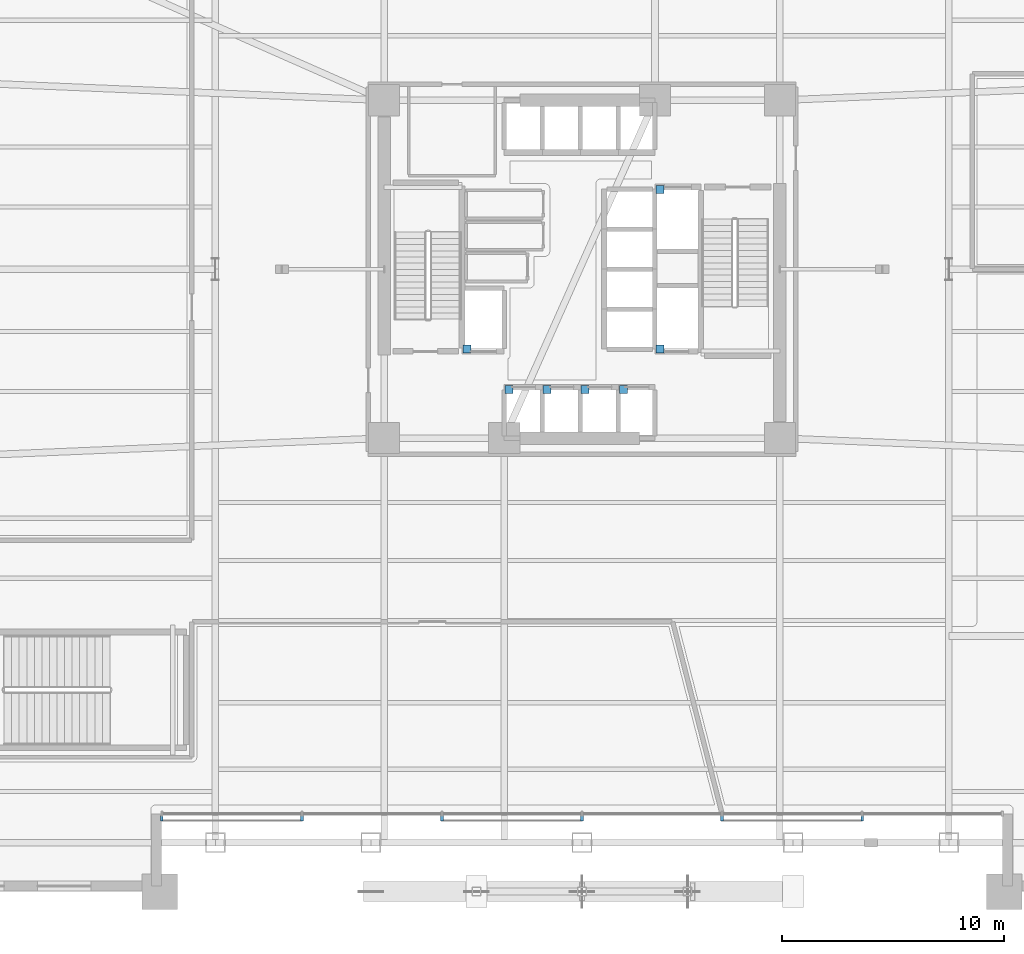
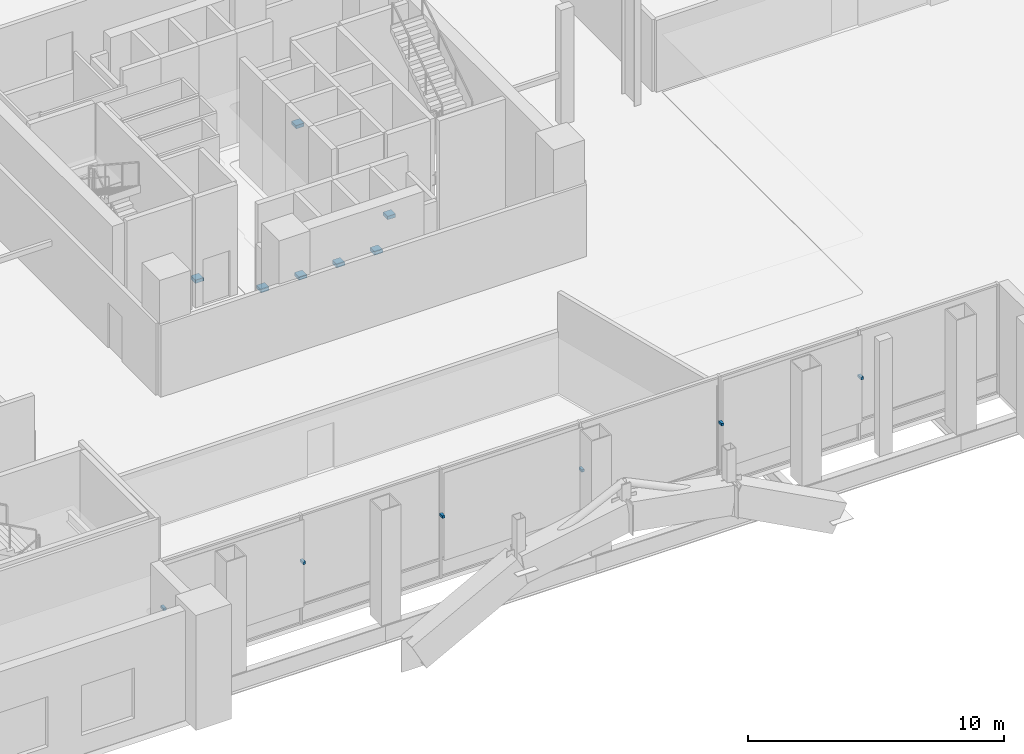
# One storey, part 12 of 19: 13 discrete accessories.
"""IFC4 building model written with IfcOpenShell, lengths in metres."""

from ifc_helpers import new_model, si_unit, direction, frame, origin, origin_2d, place, context, subcontext, project, spatial, rectangle, extrude, material, type_object, element, save


model = new_model("IFC4")

# Units and contexts
model_context = context("Model", 3, precision=1e-05, world=origin(), true_north=direction((0.0, 1.0)))
body_context = subcontext(model_context, "Body", "Model", "MODEL_VIEW")
ifc_project = project(units=[si_unit("LENGTHUNIT", "METRE"), si_unit("AREAUNIT", "SQUARE_METRE"), si_unit("VOLUMEUNIT", "CUBIC_METRE"), si_unit("PLANEANGLEUNIT", "RADIAN"), si_unit("MASSUNIT", "GRAM", prefix="KILO")], contexts=[model_context])

# Site, building, storey
site_placement = place(None, origin())
site = spatial("IfcSite", under=ifc_project, at=site_placement, CompositionType="ELEMENT")
building_placement = place(site_placement, origin())
building = spatial("IfcBuilding", under=site, at=building_placement, Name="Tharavind Bronze Gate", CompositionType="ELEMENT")
storey_placement = place(building_placement, frame((0.0, 0.0, 11.0)))
storey = spatial("IfcBuildingStorey", under=building, at=storey_placement, Name="L02", CompositionType="ELEMENT", Elevation=11.0)

# Discrete accessories
ifc_material_1 = material(Name="Galvanised Steel S355", Category="steel")
discrete_accessory_type_1 = type_object("IfcDiscreteAccessoryType", Name="LIFT GUIDE RAIL BRACKET", PredefinedType="BRACKET", material=ifc_material_1)
for number, where, z_axis, x_axis, name in (
    (1, (-3.280029296875, -5.419921875, 1.1201171875), (0.0, 0.0, 1.0), (1.0, 0.0, 0.0), "Lift PL1 guide rail bracket at L02"),
    (2, (-1.5673828125, -5.419921875, 1.1201171875), (0.0, 0.0, 1.0), (1.0, 0.0, 0.0), "Lift PL2 guide rail bracket at L02"),
    (3, (0.14501953125, -5.419921875, 1.1201171875), (0.0, 0.0, 1.0), (1.0, 0.0, 0.0), "Lift PL3 guide rail bracket at L02"),
    (4, (1.857421875, -5.419921875, 1.1201171875), (0.0, 0.0, 1.0), (1.0, 0.0, 0.0), "Lift PL4 guide rail bracket at L02"),
    (5, (-5.179931640625, -3.580078125, 1.1201171875), (0.0, 0.0, 1.0), (1.0, 0.0, 0.0), "Lift FFL1 guide rail bracket at L02"),
    (6, (3.5, 3.580078125, 1.1201171875), (0.0, 0.0, 1.0), (1.0, 0.0, 0.0), "Lift FFL2 guide rail bracket at L02"),
    (7, (3.5, -3.580078125, 1.1201171875), (0.0, 0.0, 1.0), (1.0, 0.0, 0.0), "Lift SVL1 guide rail bracket at L02"),
):
    element("IfcDiscreteAccessory", number, at=place(storey_placement, frame(where, z_axis=z_axis, x_axis=x_axis)), inside=storey, type_object=discrete_accessory_type_1, Name=name, PredefinedType="BRACKET", context=body_context, shape_type="SweptSolid", body=[
        extrude(rectangle(XDim=0.360107421875, YDim=0.360107421875, at=origin_2d()), origin(), (0.0, 0.0, 1.0), 0.159912109375),
    ])
ifc_material_2 = material(Name="Stainless Steel 316", Category="steel")
discrete_accessory_type_2 = type_object("IfcDiscreteAccessoryType", Name="SOLAR SCREEN STANDOFF BRACKET", PredefinedType="BRACKET", material=ifc_material_2)
for number, where, z_axis, x_axis, name in (
    (8, (-18.89990234375, -24.699951171875, 3.010009765625), (0.0, 0.0, 1.0), (1.0, 0.0, 0.0), "CW-L02-ARCH solar screen bracket 1.1"),
    (9, (-12.60009765625, -24.699951171875, 3.010009765625), (0.0, 0.0, 1.0), (1.0, 0.0, 0.0), "CW-L02-ARCH solar screen bracket 1.2"),
    (10, (-6.300048828125, -24.699951171875, 3.010009765625), (0.0, 0.0, 1.0), (1.0, 0.0, 0.0), "CW-L02-ARCH solar screen bracket 3.1"),
    (11, (0.0, -24.699951171875, 3.010009765625), (0.0, 0.0, 1.0), (1.0, 0.0, 0.0), "CW-L02-ARCH solar screen bracket 3.2"),
    (12, (6.300048828125, -24.699951171875, 3.010009765625), (0.0, 0.0, 1.0), (1.0, 0.0, 0.0), "CW-L02-ARCH solar screen bracket 5.1"),
    (13, (12.60009765625, -24.699951171875, 3.010009765625), (0.0, 0.0, 1.0), (1.0, 0.0, 0.0), "CW-L02-ARCH solar screen bracket 5.2"),
):
    element("IfcDiscreteAccessory", number, at=place(storey_placement, frame(where, z_axis=z_axis, x_axis=x_axis)), inside=storey, type_object=discrete_accessory_type_2, Name=name, PredefinedType="BRACKET", context=body_context, shape_type="SweptSolid", body=[
        extrude(rectangle(XDim=0.1201171875, YDim=0.239990234375, at=origin_2d()), origin(), (0.0, 0.0, 1.0), 0.1201171875),
    ])

save(model, "model.ifc")
